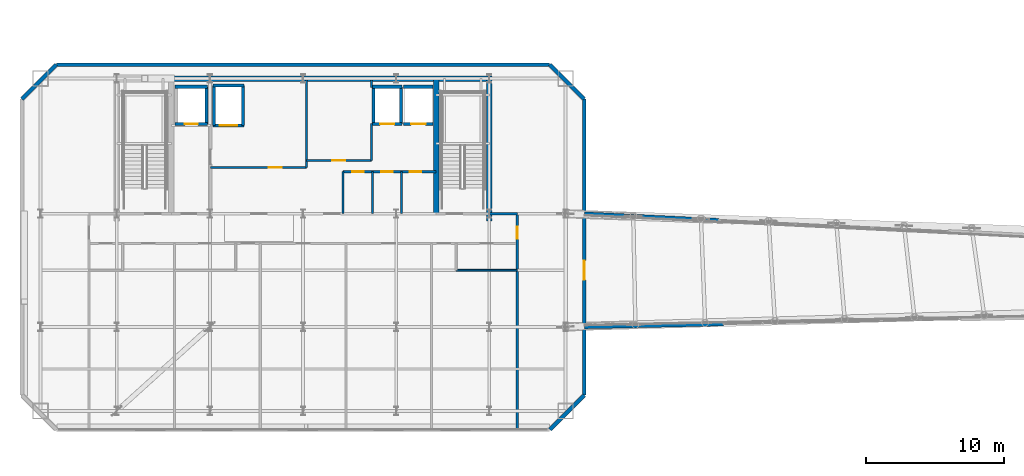
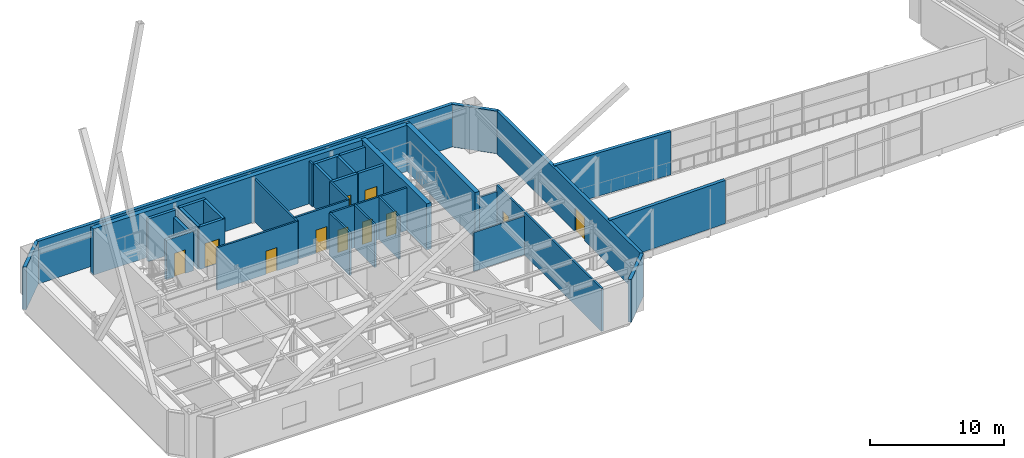
# One storey, part 16 of 23: 35 walls, 11 doors, 11 openings.
"""IFC4 building model written with IfcOpenShell, lengths in metres."""

from ifc_helpers import new_model, si_unit, direction, frame, frame_2d, origin, place, context, subcontext, project, spatial, rectangle, extrude, material, layer, layer_set, type_object, element, fill, save


model = new_model("IFC4")

# Units and contexts
model_context = context("Model", 3, precision=1e-05, world=origin(), true_north=direction((0.0, 1.0)))
body_context = subcontext(model_context, "Body", "Model", "MODEL_VIEW")
ifc_project = project(units=[si_unit("LENGTHUNIT", "METRE"), si_unit("AREAUNIT", "SQUARE_METRE"), si_unit("VOLUMEUNIT", "CUBIC_METRE"), si_unit("PLANEANGLEUNIT", "RADIAN"), si_unit("MASSUNIT", "GRAM", prefix="KILO")], contexts=[model_context])

# Site, building, storey
site_placement = place(None, origin())
site = spatial("IfcSite", under=ifc_project, at=site_placement, CompositionType="ELEMENT")
building_placement = place(site_placement, origin())
building = spatial("IfcBuilding", under=site, at=building_placement, Name="Haevon Station Towers", CompositionType="ELEMENT")
storey_placement = place(building_placement, frame((0.0, 0.0, 197.10009765625)))
storey = spatial("IfcBuildingStorey", under=building, at=storey_placement, Name="L54", CompositionType="ELEMENT", Elevation=197.10009765625)

# Walls
ifc_material_1 = material(Name="Concrete C60/75", Category="concrete")
ifc_layer_1 = layer(ifc_material_1, 0.39990234375)
ifc_layer_set_1 = layer_set([ifc_layer_1], Name="Concrete C60/75")
wall_type_1 = type_object("IfcWallType", Name="WL-CR400", PredefinedType="SHEAR", material=ifc_layer_set_1)
wall_1_placement = place(storey_placement, frame((23.800048828125, 48.0, 0.0), z_axis=(0.0, 0.0, 1.0), x_axis=(1.0, 0.0, 0.0)))
element("IfcWall", 1, at=wall_1_placement, inside=storey, type_object=wall_type_1, Name="WL-T1CR-L54-N", PredefinedType="SHEAR", context=body_context, shape_type="SweptSolid", body=[
    extrude(rectangle(XDim=27.39990234375, YDim=0.39990234375, at=frame_2d((13.699951171875, 0.0))), origin(), (0.0, 0.0, 1.0), 4.199951171875),
])
wall_2_placement = place(storey_placement, frame((51.0, 37.679931640625, 0.0), z_axis=(0.0, 0.0, 1.0), x_axis=(0.0, 1.0, 0.0)))
element("IfcWall", 2, at=wall_2_placement, inside=storey, type_object=wall_type_1, Name="WL-T1CR-L54-E", PredefinedType="SHEAR", context=body_context, shape_type="SweptSolid", body=[
    extrude(rectangle(XDim=10.320068359375, YDim=0.39990234375, at=frame_2d((5.16015625, 0.0))), origin(), (0.0, 0.0, 1.0), 4.199951171875),
])
wall_3_placement = place(storey_placement, frame((47.14990234375, 38.199951171875, 0.0), z_axis=(0.0, 0.0, 1.0), x_axis=(0.0, 1.0, 0.0)))
element("IfcWall", 3, at=wall_3_placement, inside=storey, type_object=wall_type_1, Name="WL-T1CR-L54-M2", PredefinedType="SHEAR", context=body_context, shape_type="SweptSolid", body=[
    extrude(rectangle(XDim=9.800048828125, YDim=0.39990234375, at=frame_2d((4.89990234375, 0.0))), origin(), (0.0, 0.0, 1.0), 4.199951171875),
])
ifc_material_2 = material(Name="Precast concrete C45/55", Category="concrete")
ifc_layer_2 = layer(ifc_material_2, 0.280029296875)
ifc_layer_set_2 = layer_set([ifc_layer_2], Name="Precast concrete C45/55")
wall_type_2 = type_object("IfcWallType", Name="WL-EXT-PIER280", PredefinedType="SOLIDWALL", material=ifc_layer_set_2)
wall_4_placement = place(storey_placement, frame((17.125, 46.5, 0.0), z_axis=(0.0, 0.0, 1.0), x_axis=(0.707106781187, 0.707106781187, 0.0)))
element("IfcWall", 4, at=wall_4_placement, inside=storey, type_object=wall_type_2, Name="WL-T1-L54-NWC", PredefinedType="SOLIDWALL", context=body_context, shape_type="SweptSolid", body=[
    extrude(rectangle(XDim=3.53564453125, YDim=0.280029296875, at=frame_2d((1.767822265625, 0.0))), origin(), (0.0, 0.0, 1.0), 3.8798828125),
])
wall_5_placement = place(storey_placement, frame((19.625, 49.0, 0.0), z_axis=(0.0, 0.0, 1.0), x_axis=(1.0, 0.0, 0.0)))
element("IfcWall", 5, at=wall_5_placement, inside=storey, type_object=wall_type_2, Name="WL-T1-L54-N", PredefinedType="SOLIDWALL", context=body_context, shape_type="SweptSolid", body=[
    extrude(rectangle(XDim=35.75, YDim=0.280029296875, at=frame_2d((17.875, 0.0))), origin(), (0.0, 0.0, 1.0), 3.8798828125),
])
wall_6_placement = place(storey_placement, frame((55.375, 49.0, 0.0), z_axis=(0.0, 0.0, 1.0), x_axis=(0.707106781187, -0.707106781187, 0.0)))
element("IfcWall", 6, at=wall_6_placement, inside=storey, type_object=wall_type_2, Name="WL-T1-L54-NEC", PredefinedType="SOLIDWALL", context=body_context, shape_type="SweptSolid", body=[
    extrude(rectangle(XDim=3.53564453125, YDim=0.280029296875, at=frame_2d((1.767822265625, 0.0))), origin(), (0.0, 0.0, 1.0), 3.8798828125),
])

# Wall, opening, door
wall_7_placement = place(storey_placement, frame((57.875, 46.5, 0.0), z_axis=(0.0, 0.0, 1.0), x_axis=(0.0, -1.0, 0.0)))
wall_7 = element("IfcWall", 7, at=wall_7_placement, inside=storey, type_object=wall_type_2, Name="WL-T1-L54-E", PredefinedType="SOLIDWALL", context=body_context, shape_type="SweptSolid", body=[
    extrude(rectangle(XDim=21.449951171875, YDim=0.280029296875, at=frame_2d((10.72509765625, 0.0))), origin(), (0.0, 0.0, 1.0), 3.8798828125),
])
opening_1_placement = place(wall_7_placement, frame((11.699951171875, 0.0, 0.0)))
opening_1 = element("IfcOpeningElement", 8, at=opening_1_placement, cuts=wall_7, Name="Opening DR-SKP-T1-L54", PredefinedType="OPENING", context=body_context, shape_type="SweptSolid", body=[
    extrude(rectangle(XDim=1.39990234375, YDim=2.14990234375, at=frame_2d((0.699951171875, 1.074951171875))), frame((0.0, 0.14990234375, 0.0), z_axis=(0.0, -1.0, 0.0), x_axis=(1.0, 0.0, 0.0)), (0.0, 0.0, 1.0), 0.300048828125),
])
ifc_material_3 = material(Name="Thermally broken anodised aluminium and laminated safety glass", Category="aluminium")
door_type_1 = type_object("IfcDoorType", Name="DR-SKP-1400", OperationType="NOTDEFINED", PredefinedType="DOOR", material=ifc_material_3)
door_1_placement = place(opening_1_placement, origin())
door_1 = element("IfcDoor", 9, at=door_1_placement, inside=storey, type_object=door_type_1, Name="Sky-Park Bridge Level L54 Tower 1 Fire Link Door", OperationType="SINGLE_SWING_RIGHT", OverallHeight=2.14990234375, OverallWidth=1.39990234375, PredefinedType="DOOR", context=body_context, shape_type="SweptSolid", body=[
    extrude(rectangle(XDim=1.39990234375, YDim=2.14990234375, at=frame_2d((0.699951171875, 1.074951171875))), frame((0.0, 0.02490234375, 0.0), z_axis=(0.0, -1.0, 0.0), x_axis=(1.0, 0.0, 0.0)), (0.0, 0.0, 1.0), 0.050048828125),
])
fill(opening_1, door_1)

# Walls
wall_8_placement = place(storey_placement, frame((57.875, 25.050048828125, 0.0), z_axis=(0.0, 0.0, 1.0), x_axis=(-0.707106781187, -0.707106781187, 0.0)))
element("IfcWall", 10, at=wall_8_placement, inside=storey, type_object=wall_type_2, Name="WL-T1-L54-SEC", PredefinedType="SOLIDWALL", context=body_context, shape_type="SweptSolid", body=[
    extrude(rectangle(XDim=3.53564453125, YDim=0.280029296875, at=frame_2d((1.767822265625, 0.0))), origin(), (0.0, 0.0, 1.0), 3.8798828125),
])
wall_9_placement = place(storey_placement, frame((57.8798828125, 30.0, 0.0), z_axis=(0.0, 0.0, 1.0), x_axis=(0.999792624161, 0.020364397222, 0.0)))
element("IfcWall", 11, at=wall_9_placement, inside=storey, type_object=wall_type_2, Name="WL-SKP-L54-SW", PredefinedType="SOLIDWALL", context=body_context, shape_type="SweptSolid", body=[
    extrude(rectangle(XDim=10.08251953125, YDim=0.280029296875, at=frame_2d((5.041259765625, 0.0))), origin(), (0.0, 0.0, 1.0), 3.929931640625),
])
wall_10_placement = place(storey_placement, frame((57.8798828125, 38.199951171875, 0.0), z_axis=(0.0, 0.0, 1.0), x_axis=(0.998807569318, -0.048820482102, 0.0)))
element("IfcWall", 12, at=wall_10_placement, inside=storey, type_object=wall_type_2, Name="WL-SKP-L54-NW", PredefinedType="SOLIDWALL", context=body_context, shape_type="SweptSolid", body=[
    extrude(rectangle(XDim=9.7666015625, YDim=0.280029296875, at=frame_2d((4.88330078125, 0.0))), origin(), (0.0, 0.0, 1.0), 3.929931640625),
])
ifc_material_4 = material(Name="Gypsum board on steel stud", Category="steel")
ifc_layer_3 = layer(ifc_material_4, 0.125)
ifc_layer_set_3 = layer_set([ifc_layer_3], Name="Gypsum board on steel stud")
wall_type_3 = type_object("IfcWallType", Name="WL-PRT125", PredefinedType="PARTITIONING", material=ifc_layer_set_3)
wall_11_placement = place(storey_placement, frame((48.594970703125, 34.10009765625, 0.0), z_axis=(0.0, 0.0, 1.0), x_axis=(1.0, 0.0, 0.0)))
element("IfcWall", 13, at=wall_11_placement, inside=storey, type_object=wall_type_3, Name="WL-T1PT-L54-13", PredefinedType="PARTITIONING", context=body_context, shape_type="SweptSolid", body=[
    extrude(rectangle(XDim=4.429931640625, YDim=0.125, at=frame_2d((2.21484375, 0.0))), origin(), (0.0, 0.0, 1.0), 3.52978515625),
])

# Wall, opening, door
ifc_layer_4 = layer(ifc_material_4, 0.159912109375)
ifc_layer_set_4 = layer_set([ifc_layer_4], Name="Gypsum board on steel stud")
wall_type_4 = type_object("IfcWallType", Name="WL-PRT160", PredefinedType="PARTITIONING", material=ifc_layer_set_4)
wall_12_placement = place(storey_placement, frame((30.800048828125, 41.550048828125, 0.0), z_axis=(0.0, 0.0, 1.0), x_axis=(1.0, 0.0, 0.0)))
wall_12 = element("IfcWall", 14, at=wall_12_placement, inside=storey, type_object=wall_type_4, Name="WL-T1CW-L54-01", PredefinedType="PARTITIONING", context=body_context, shape_type="SweptSolid", body=[
    extrude(rectangle(XDim=6.949951171875, YDim=0.159912109375, at=frame_2d((3.47509765625, 0.0))), origin(), (0.0, 0.0, 1.0), 3.8798828125),
])
opening_2_placement = place(wall_12_placement, frame((4.199951171875, 0.0, 0.0)))
opening_2 = element("IfcOpeningElement", 15, at=opening_2_placement, cuts=wall_12, Name="Opening DR-WL-T1CW-L54-01-1", PredefinedType="OPENING", context=body_context, shape_type="SweptSolid", body=[
    extrude(rectangle(XDim=0.949951171875, YDim=2.10009765625, at=frame_2d((0.47509765625, 1.050048828125))), frame((0.0, 0.08984375, 0.0), z_axis=(0.0, -1.0, 0.0), x_axis=(1.0, 0.0, 0.0)), (0.0, 0.0, 1.0), 0.179931640625),
])
ifc_material_5 = material(Name="Engineered oak timber", Category="wood")
door_type_2 = type_object("IfcDoorType", Name="DR-FD60-950", OperationType="NOTDEFINED", PredefinedType="DOOR", material=ifc_material_5)
door_2_placement = place(opening_2_placement, origin())
door_2 = element("IfcDoor", 16, at=door_2_placement, inside=storey, type_object=door_type_2, Name="L54 Tower 1 Core Room Door 1-1", OperationType="SINGLE_SWING_RIGHT", OverallHeight=2.10009765625, OverallWidth=0.949951171875, PredefinedType="DOOR", context=body_context, shape_type="SweptSolid", body=[
    extrude(rectangle(XDim=0.949951171875, YDim=2.10009765625, at=frame_2d((0.47509765625, 1.050048828125))), frame((0.0, 0.02490234375, 0.0), z_axis=(0.0, -1.0, 0.0), x_axis=(1.0, 0.0, 0.0)), (0.0, 0.0, 1.0), 0.050048828125),
])
fill(opening_2, door_2)

# Wall
wall_13_placement = place(storey_placement, frame((37.75, 41.550048828125, 0.0), z_axis=(0.0, 0.0, 1.0), x_axis=(0.0, 1.0, 0.0)))
element("IfcWall", 17, at=wall_13_placement, inside=storey, type_object=wall_type_4, Name="WL-T1CW-L54-02", PredefinedType="PARTITIONING", context=body_context, shape_type="SweptSolid", body=[
    extrude(rectangle(XDim=6.349853515625, YDim=0.159912109375, at=frame_2d((3.1748046875, 0.0))), origin(), (0.0, 0.0, 1.0), 3.8798828125),
])

# Wall, opening, door
wall_14_placement = place(storey_placement, frame((37.75, 42.050048828125, 0.0), z_axis=(0.0, 0.0, 1.0), x_axis=(1.0, 0.0, 0.0)))
wall_14 = element("IfcWall", 18, at=wall_14_placement, inside=storey, type_object=wall_type_4, Name="WL-T1CW-L54-03", PredefinedType="PARTITIONING", context=body_context, shape_type="SweptSolid", body=[
    extrude(rectangle(XDim=4.699951171875, YDim=0.159912109375, at=frame_2d((2.35009765625, 0.0))), origin(), (0.0, 0.0, 1.0), 3.8798828125),
])
opening_3_placement = place(wall_14_placement, frame((1.85009765625, 0.0, 0.0)))
opening_3 = element("IfcOpeningElement", 19, at=opening_3_placement, cuts=wall_14, Name="Opening DR-WL-T1CW-L54-03-1", PredefinedType="OPENING", context=body_context, shape_type="SweptSolid", body=[
    extrude(rectangle(XDim=0.949951171875, YDim=2.10009765625, at=frame_2d((0.47509765625, 1.050048828125))), frame((0.0, 0.08984375, 0.0), z_axis=(0.0, -1.0, 0.0), x_axis=(1.0, 0.0, 0.0)), (0.0, 0.0, 1.0), 0.179931640625),
])
door_3_placement = place(opening_3_placement, origin())
door_3 = element("IfcDoor", 20, at=door_3_placement, inside=storey, type_object=door_type_2, Name="L54 Tower 1 Core Room Door 3-1", OperationType="SINGLE_SWING_LEFT", OverallHeight=2.10009765625, OverallWidth=0.949951171875, PredefinedType="DOOR", context=body_context, shape_type="SweptSolid", body=[
    extrude(rectangle(XDim=0.949951171875, YDim=2.10009765625, at=frame_2d((0.47509765625, 1.050048828125))), frame((0.0, 0.02490234375, 0.0), z_axis=(0.0, -1.0, 0.0), x_axis=(1.0, 0.0, 0.0)), (0.0, 0.0, 1.0), 0.050048828125),
])
fill(opening_3, door_3)

# Walls
wall_15_placement = place(storey_placement, frame((42.449951171875, 42.050048828125, 0.0), z_axis=(0.0, 0.0, 1.0), x_axis=(0.0, 1.0, 0.0)))
element("IfcWall", 21, at=wall_15_placement, inside=storey, type_object=wall_type_4, Name="WL-T1CW-L54-04", PredefinedType="PARTITIONING", context=body_context, shape_type="SweptSolid", body=[
    extrude(rectangle(XDim=2.699951171875, YDim=0.159912109375, at=frame_2d((1.35009765625, 0.0))), origin(), (0.0, 0.0, 1.0), 3.8798828125),
])
wall_16_placement = place(storey_placement, frame((42.449951171875, 47.35009765625, 0.0), z_axis=(0.0, 0.0, 1.0), x_axis=(0.0, 1.0, 0.0)))
element("IfcWall", 22, at=wall_16_placement, inside=storey, type_object=wall_type_4, Name="WL-T1CW-L54-05", PredefinedType="PARTITIONING", context=body_context, shape_type="SweptSolid", body=[
    extrude(rectangle(XDim=0.5498046875, YDim=0.159912109375, at=frame_2d((0.27490234375, 0.0))), origin(), (0.0, 0.0, 1.0), 3.8798828125),
])
for number, where, z_axis, x_axis, name in (
    (23, (40.39990234375, 38.199951171875, 0.0), (0.0, 0.0, 1.0), (0.0, 1.0, 0.0), "WL-T1CW-L54-06"),
    (24, (42.530029296875, 38.199951171875, 0.0), (0.0, 0.0, 1.0), (0.0, 1.0, 0.0), "WL-T1CW-L54-07"),
    (25, (44.6298828125, 38.199951171875, 0.0), (0.0, 0.0, 1.0), (0.0, 1.0, 0.0), "WL-T1CW-L54-08"),
):
    element("IfcWall", number, at=place(storey_placement, frame(where, z_axis=z_axis, x_axis=x_axis)), inside=storey, type_object=wall_type_4, Name=name, PredefinedType="PARTITIONING", context=body_context, shape_type="SweptSolid", body=[
        extrude(rectangle(XDim=3.050048828125, YDim=0.159912109375, at=frame_2d((1.52490234375, 0.0))), origin(), (0.0, 0.0, 1.0), 3.8798828125),
    ])

# Wall, openings, doors
wall_17_placement = place(storey_placement, frame((40.39990234375, 41.25, 0.0), z_axis=(0.0, 0.0, 1.0), x_axis=(1.0, 0.0, 0.0)))
wall_17 = element("IfcWall", 26, at=wall_17_placement, inside=storey, type_object=wall_type_4, Name="WL-T1CW-L54-09", PredefinedType="PARTITIONING", context=body_context, shape_type="SweptSolid", body=[
    extrude(rectangle(XDim=6.75, YDim=0.159912109375, at=frame_2d((3.375, 0.0))), origin(), (0.0, 0.0, 1.0), 3.8798828125),
])
opening_4_placement = place(wall_17_placement, frame((0.659912109375, 0.0, 0.0)))
opening_4 = element("IfcOpeningElement", 27, at=opening_4_placement, cuts=wall_17, Name="Opening DR-WL-T1CW-L54-09-1", PredefinedType="OPENING", context=body_context, shape_type="SweptSolid", body=[
    extrude(rectangle(XDim=0.85009765625, YDim=2.050048828125, at=frame_2d((0.425048828125, 1.02490234375))), frame((0.0, 0.08984375, 0.0), z_axis=(0.0, -1.0, 0.0), x_axis=(1.0, 0.0, 0.0)), (0.0, 0.0, 1.0), 0.179931640625),
])
opening_5_placement = place(wall_17_placement, frame((2.7548828125, 0.0, 0.0)))
opening_5 = element("IfcOpeningElement", 28, at=opening_5_placement, cuts=wall_17, Name="Opening DR-WL-T1CW-L54-09-2", PredefinedType="OPENING", context=body_context, shape_type="SweptSolid", body=[
    extrude(rectangle(XDim=0.85009765625, YDim=2.050048828125, at=frame_2d((0.425048828125, 1.02490234375))), frame((0.0, 0.08984375, 0.0), z_axis=(0.0, -1.0, 0.0), x_axis=(1.0, 0.0, 0.0)), (0.0, 0.0, 1.0), 0.179931640625),
])
opening_6_placement = place(wall_17_placement, frame((4.830078125, 0.0, 0.0)))
opening_6 = element("IfcOpeningElement", 29, at=opening_6_placement, cuts=wall_17, Name="Opening DR-WL-T1CW-L54-09-3", PredefinedType="OPENING", context=body_context, shape_type="SweptSolid", body=[
    extrude(rectangle(XDim=0.85009765625, YDim=2.050048828125, at=frame_2d((0.425048828125, 1.02490234375))), frame((0.0, 0.08984375, 0.0), z_axis=(0.0, -1.0, 0.0), x_axis=(1.0, 0.0, 0.0)), (0.0, 0.0, 1.0), 0.179931640625),
])
door_type_3 = type_object("IfcDoorType", Name="DR-FD30-850", OperationType="NOTDEFINED", PredefinedType="DOOR", material=ifc_material_5)
door_4_placement = place(opening_4_placement, origin())
door_4 = element("IfcDoor", 30, at=door_4_placement, inside=storey, type_object=door_type_3, Name="L54 Tower 1 Core Room Door 9-1", OperationType="SINGLE_SWING_RIGHT", OverallHeight=2.050048828125, OverallWidth=0.85009765625, PredefinedType="DOOR", context=body_context, shape_type="SweptSolid", body=[
    extrude(rectangle(XDim=0.85009765625, YDim=2.050048828125, at=frame_2d((0.425048828125, 1.02490234375))), frame((0.0, 0.02490234375, 0.0), z_axis=(0.0, -1.0, 0.0), x_axis=(1.0, 0.0, 0.0)), (0.0, 0.0, 1.0), 0.050048828125),
])
fill(opening_4, door_4)
door_5_placement = place(opening_5_placement, origin())
door_5 = element("IfcDoor", 31, at=door_5_placement, inside=storey, type_object=door_type_3, Name="L54 Tower 1 Core Room Door 9-2", OperationType="SINGLE_SWING_LEFT", OverallHeight=2.050048828125, OverallWidth=0.85009765625, PredefinedType="DOOR", context=body_context, shape_type="SweptSolid", body=[
    extrude(rectangle(XDim=0.85009765625, YDim=2.050048828125, at=frame_2d((0.425048828125, 1.02490234375))), frame((0.0, 0.02490234375, 0.0), z_axis=(0.0, -1.0, 0.0), x_axis=(1.0, 0.0, 0.0)), (0.0, 0.0, 1.0), 0.050048828125),
])
fill(opening_5, door_5)
door_6_placement = place(opening_6_placement, origin())
door_6 = element("IfcDoor", 32, at=door_6_placement, inside=storey, type_object=door_type_3, Name="L54 Tower 1 Core Room Door 9-3", OperationType="SINGLE_SWING_RIGHT", OverallHeight=2.050048828125, OverallWidth=0.85009765625, PredefinedType="DOOR", context=body_context, shape_type="SweptSolid", body=[
    extrude(rectangle(XDim=0.85009765625, YDim=2.050048828125, at=frame_2d((0.425048828125, 1.02490234375))), frame((0.0, 0.02490234375, 0.0), z_axis=(0.0, -1.0, 0.0), x_axis=(1.0, 0.0, 0.0)), (0.0, 0.0, 1.0), 0.050048828125),
])
fill(opening_6, door_6)

# Wall
wall_18_placement = place(storey_placement, frame((51.0, 38.199951171875, 0.0), z_axis=(0.0, 0.0, 1.0), x_axis=(1.0, 0.0, 0.0)))
element("IfcWall", 33, at=wall_18_placement, inside=storey, type_object=wall_type_4, Name="WL-T1PT-L54-02", PredefinedType="PARTITIONING", context=body_context, shape_type="SweptSolid", body=[
    extrude(rectangle(XDim=2.02490234375, YDim=0.159912109375, at=frame_2d((1.012451171875, 0.0))), origin(), (0.0, 0.0, 1.0), 3.27978515625),
])

# Wall, opening, door
wall_19_placement = place(storey_placement, frame((53.02490234375, 22.550048828125, 0.0), z_axis=(0.0, 0.0, 1.0), x_axis=(0.0, 1.0, 0.0)))
wall_19 = element("IfcWall", 34, at=wall_19_placement, inside=storey, type_object=wall_type_4, Name="WL-T1PT-L54-04", PredefinedType="PARTITIONING", context=body_context, shape_type="SweptSolid", body=[
    extrude(rectangle(XDim=15.64990234375, YDim=0.159912109375, at=frame_2d((7.824951171875, 0.0))), origin(), (0.0, 0.0, 1.0), 3.8798828125),
])
opening_7_placement = place(wall_19_placement, frame((13.820068359375, 0.0, 0.0)))
opening_7 = element("IfcOpeningElement", 35, at=opening_7_placement, cuts=wall_19, Name="Opening DR-WL-T1PT-L54-04-01", PredefinedType="OPENING", context=body_context, shape_type="SweptSolid", body=[
    extrude(rectangle(XDim=0.89990234375, YDim=2.050048828125, at=frame_2d((0.449951171875, 1.02490234375))), frame((0.0, 0.08984375, 0.0), z_axis=(0.0, -1.0, 0.0), x_axis=(1.0, 0.0, 0.0)), (0.0, 0.0, 1.0), 0.179931640625),
])
door_type_4 = type_object("IfcDoorType", Name="DR-INT-900", OperationType="NOTDEFINED", PredefinedType="DOOR", material=ifc_material_5)
door_7_placement = place(opening_7_placement, origin())
door_7 = element("IfcDoor", 36, at=door_7_placement, inside=storey, type_object=door_type_4, Name="L54 Tower 1 Room Door 4-1", OperationType="SINGLE_SWING_RIGHT", OverallHeight=2.050048828125, OverallWidth=0.89990234375, PredefinedType="DOOR", context=body_context, shape_type="SweptSolid", body=[
    extrude(rectangle(XDim=0.89990234375, YDim=2.050048828125, at=frame_2d((0.449951171875, 1.02490234375))), frame((0.0, 0.02490234375, 0.0), z_axis=(0.0, -1.0, 0.0), x_axis=(1.0, 0.0, 0.0)), (0.0, 0.0, 1.0), 0.050048828125),
])
fill(opening_7, door_7)

ifc_material_6 = material(Name="Concrete C40/50", Category="concrete")
ifc_layer_5 = layer(ifc_material_6, 0.239990234375)
ifc_layer_set_5 = layer_set([ifc_layer_5], Name="Concrete C40/50")
wall_type_5 = type_object("IfcWallType", Name="WL-SHF240", PredefinedType="PARTITIONING", material=ifc_layer_set_5)
wall_20_placement = place(storey_placement, frame((28.219970703125, 44.699951171875, 0.0), z_axis=(0.0, 0.0, 1.0), x_axis=(1.0, 0.0, 0.0)))
wall_20 = element("IfcWall", 37, at=wall_20_placement, inside=storey, type_object=wall_type_5, Name="WL-SHF-FL1-L54", PredefinedType="PARTITIONING", context=body_context, shape_type="SweptSolid", body=[
    extrude(rectangle(XDim=2.360107421875, YDim=0.239990234375, at=frame_2d((1.18017578125, 0.0))), origin(), (0.0, 0.0, 1.0), 3.579833984375),
])
opening_8_placement = place(wall_20_placement, frame((0.705078125, 0.0, 0.0)))
opening_8 = element("IfcOpeningElement", 38, at=opening_8_placement, cuts=wall_20, Name="Opening LD-FL1-L54", PredefinedType="OPENING", context=body_context, shape_type="SweptSolid", body=[
    extrude(rectangle(XDim=0.949951171875, YDim=2.14990234375, at=frame_2d((0.47509765625, 1.074951171875))), frame((0.0, 0.1298828125, 0.0), z_axis=(0.0, -1.0, 0.0), x_axis=(1.0, 0.0, 0.0)), (0.0, 0.0, 1.0), 0.260009765625),
])
ifc_material_7 = material(Name="Stainless steel and rated core", Category="steel")
door_type_5 = type_object("IfcDoorType", Name="LD-FL950", OperationType="SLIDING_TO_LEFT", PredefinedType="DOOR", material=ifc_material_7)
door_8_placement = place(opening_8_placement, origin())
door_8 = element("IfcDoor", 39, at=door_8_placement, inside=storey, type_object=door_type_5, Name="L54 Lift FL1 Sliding Landing Door", OperationType="SLIDING_TO_LEFT", OverallHeight=2.14990234375, OverallWidth=0.949951171875, PredefinedType="DOOR", context=body_context, shape_type="SweptSolid", body=[
    extrude(rectangle(XDim=0.949951171875, YDim=2.14990234375, at=frame_2d((0.47509765625, 1.074951171875))), frame((0.0, 0.02490234375, 0.0), z_axis=(0.0, -1.0, 0.0), x_axis=(1.0, 0.0, 0.0)), (0.0, 0.0, 1.0), 0.050048828125),
])
fill(opening_8, door_8)

# Walls
wall_21_placement = place(storey_placement, frame((28.219970703125, 47.39990234375, 0.0), z_axis=(0.0, 0.0, 1.0), x_axis=(1.0, 0.0, 0.0)))
element("IfcWall", 40, at=wall_21_placement, inside=storey, type_object=wall_type_5, Name="WL-SHF-FL1-L54-N", PredefinedType="PARTITIONING", context=body_context, shape_type="SweptSolid", body=[
    extrude(rectangle(XDim=2.360107421875, YDim=0.239990234375, at=frame_2d((1.18017578125, 0.0))), origin(), (0.0, 0.0, 1.0), 3.8798828125),
])
wall_22_placement = place(storey_placement, frame((30.5, 44.699951171875, 0.0), z_axis=(0.0, 0.0, 1.0), x_axis=(0.0, 1.0, 0.0)))
element("IfcWall", 41, at=wall_22_placement, inside=storey, type_object=wall_type_5, Name="WL-SHF-FL1-L54-E", PredefinedType="PARTITIONING", context=body_context, shape_type="SweptSolid", body=[
    extrude(rectangle(XDim=2.699951171875, YDim=0.239990234375, at=frame_2d((1.35009765625, 0.0))), origin(), (0.0, 0.0, 1.0), 3.27978515625),
])

# Wall, opening, door
wall_23_placement = place(storey_placement, frame((30.969970703125, 44.60009765625, 0.0), z_axis=(0.0, 0.0, 1.0), x_axis=(1.0, 0.0, 0.0)))
wall_23 = element("IfcWall", 42, at=wall_23_placement, inside=storey, type_object=wall_type_5, Name="WL-SHF-SL1-L54", PredefinedType="PARTITIONING", context=body_context, shape_type="SweptSolid", body=[
    extrude(rectangle(XDim=2.260009765625, YDim=0.239990234375, at=frame_2d((1.1298828125, 0.0))), origin(), (0.0, 0.0, 1.0), 3.8798828125),
])
opening_9_placement = place(wall_23_placement, frame((0.5048828125, 0.0, 0.0)))
opening_9 = element("IfcOpeningElement", 43, at=opening_9_placement, cuts=wall_23, Name="Opening LD-SL1-L54", PredefinedType="OPENING", context=body_context, shape_type="SweptSolid", body=[
    extrude(rectangle(XDim=1.25, YDim=2.199951171875, at=frame_2d((0.625, 1.10009765625))), frame((0.0, 0.1298828125, 0.0), z_axis=(0.0, -1.0, 0.0), x_axis=(1.0, 0.0, 0.0)), (0.0, 0.0, 1.0), 0.260009765625),
])
door_type_6 = type_object("IfcDoorType", Name="LD-SL1250", OperationType="SLIDING_TO_LEFT", PredefinedType="DOOR", material=ifc_material_7)
door_9_placement = place(opening_9_placement, origin())
door_9 = element("IfcDoor", 44, at=door_9_placement, inside=storey, type_object=door_type_6, Name="L54 Lift SL1 Sliding Landing Door", OperationType="SLIDING_TO_LEFT", OverallHeight=2.199951171875, OverallWidth=1.25, PredefinedType="DOOR", context=body_context, shape_type="SweptSolid", body=[
    extrude(rectangle(XDim=1.25, YDim=2.199951171875, at=frame_2d((0.625, 1.10009765625))), frame((0.0, 0.02490234375, 0.0), z_axis=(0.0, -1.0, 0.0), x_axis=(1.0, 0.0, 0.0)), (0.0, 0.0, 1.0), 0.050048828125),
])
fill(opening_9, door_9)

# Walls
wall_24_placement = place(storey_placement, frame((30.969970703125, 47.5, 0.0), z_axis=(0.0, 0.0, 1.0), x_axis=(1.0, 0.0, 0.0)))
element("IfcWall", 45, at=wall_24_placement, inside=storey, type_object=wall_type_5, Name="WL-SHF-SL1-L54-N", PredefinedType="PARTITIONING", context=body_context, shape_type="SweptSolid", body=[
    extrude(rectangle(XDim=2.260009765625, YDim=0.239990234375, at=frame_2d((1.1298828125, 0.0))), origin(), (0.0, 0.0, 1.0), 3.8798828125),
])
for number, where, z_axis, x_axis, name in (
    (46, (31.050048828125, 44.60009765625, 0.0), (0.0, 0.0, 1.0), (0.0, 1.0, 0.0), "WL-SHF-SL1-L54-W"),
    (47, (33.14990234375, 44.60009765625, 0.0), (0.0, 0.0, 1.0), (0.0, 1.0, 0.0), "WL-SHF-SL1-L54-E"),
):
    element("IfcWall", number, at=place(storey_placement, frame(where, z_axis=z_axis, x_axis=x_axis)), inside=storey, type_object=wall_type_5, Name=name, PredefinedType="PARTITIONING", context=body_context, shape_type="SweptSolid", body=[
        extrude(rectangle(XDim=2.89990234375, YDim=0.239990234375, at=frame_2d((1.449951171875, 0.0))), origin(), (0.0, 0.0, 1.0), 3.8798828125),
    ])

# Wall, opening, door
wall_25_placement = place(storey_placement, frame((42.52001953125, 44.699951171875, 0.0), z_axis=(0.0, 0.0, 1.0), x_axis=(1.0, 0.0, 0.0)))
wall_25 = element("IfcWall", 48, at=wall_25_placement, inside=storey, type_object=wall_type_5, Name="WL-SHF-PL5-L54", PredefinedType="PARTITIONING", context=body_context, shape_type="SweptSolid", body=[
    extrude(rectangle(XDim=2.159912109375, YDim=0.239990234375, at=frame_2d((1.080078125, 0.0))), origin(), (0.0, 0.0, 1.0), 3.8798828125),
])
opening_10_placement = place(wall_25_placement, frame((0.554931640625, 0.0, 0.0)))
opening_10 = element("IfcOpeningElement", 49, at=opening_10_placement, cuts=wall_25, Name="Opening LD-PL5-L54", PredefinedType="OPENING", context=body_context, shape_type="SweptSolid", body=[
    extrude(rectangle(XDim=1.050048828125, YDim=2.14990234375, at=frame_2d((0.52490234375, 1.074951171875))), frame((0.0, 0.1298828125, 0.0), z_axis=(0.0, -1.0, 0.0), x_axis=(1.0, 0.0, 0.0)), (0.0, 0.0, 1.0), 0.260009765625),
])
door_type_7 = type_object("IfcDoorType", Name="LD-PL1050", OperationType="SLIDING_TO_LEFT", PredefinedType="DOOR", material=ifc_material_7)
door_10_placement = place(opening_10_placement, origin())
door_10 = element("IfcDoor", 50, at=door_10_placement, inside=storey, type_object=door_type_7, Name="L54 Lift PL5 Sliding Landing Door", OperationType="SLIDING_TO_LEFT", OverallHeight=2.14990234375, OverallWidth=1.050048828125, PredefinedType="DOOR", context=body_context, shape_type="SweptSolid", body=[
    extrude(rectangle(XDim=1.050048828125, YDim=2.14990234375, at=frame_2d((0.52490234375, 1.074951171875))), frame((0.0, 0.02490234375, 0.0), z_axis=(0.0, -1.0, 0.0), x_axis=(1.0, 0.0, 0.0)), (0.0, 0.0, 1.0), 0.050048828125),
])
fill(opening_10, door_10)

# Walls
wall_26_placement = place(storey_placement, frame((42.52001953125, 47.39990234375, 0.0), z_axis=(0.0, 0.0, 1.0), x_axis=(1.0, 0.0, 0.0)))
element("IfcWall", 51, at=wall_26_placement, inside=storey, type_object=wall_type_5, Name="WL-SHF-PL5-L54-N", PredefinedType="PARTITIONING", context=body_context, shape_type="SweptSolid", body=[
    extrude(rectangle(XDim=2.159912109375, YDim=0.239990234375, at=frame_2d((1.080078125, 0.0))), origin(), (0.0, 0.0, 1.0), 3.8798828125),
])
for number, where, z_axis, x_axis, name in (
    (52, (42.60009765625, 44.699951171875, 0.0), (0.0, 0.0, 1.0), (0.0, 1.0, 0.0), "WL-SHF-PL5-L54-W"),
    (53, (44.60009765625, 44.699951171875, 0.0), (0.0, 0.0, 1.0), (0.0, 1.0, 0.0), "WL-SHF-PL5-L54-E"),
):
    element("IfcWall", number, at=place(storey_placement, frame(where, z_axis=z_axis, x_axis=x_axis)), inside=storey, type_object=wall_type_5, Name=name, PredefinedType="PARTITIONING", context=body_context, shape_type="SweptSolid", body=[
        extrude(rectangle(XDim=2.699951171875, YDim=0.239990234375, at=frame_2d((1.35009765625, 0.0))), origin(), (0.0, 0.0, 1.0), 3.8798828125),
    ])

# Wall, opening, door
wall_27_placement = place(storey_placement, frame((44.77001953125, 44.699951171875, 0.0), z_axis=(0.0, 0.0, 1.0), x_axis=(1.0, 0.0, 0.0)))
wall_27 = element("IfcWall", 54, at=wall_27_placement, inside=storey, type_object=wall_type_5, Name="WL-SHF-PL6-L54", PredefinedType="PARTITIONING", context=body_context, shape_type="SweptSolid", body=[
    extrude(rectangle(XDim=2.159912109375, YDim=0.239990234375, at=frame_2d((1.080078125, 0.0))), origin(), (0.0, 0.0, 1.0), 3.8798828125),
])
opening_11_placement = place(wall_27_placement, frame((0.554931640625, 0.0, 0.0)))
opening_11 = element("IfcOpeningElement", 55, at=opening_11_placement, cuts=wall_27, Name="Opening LD-PL6-L54", PredefinedType="OPENING", context=body_context, shape_type="SweptSolid", body=[
    extrude(rectangle(XDim=1.050048828125, YDim=2.14990234375, at=frame_2d((0.52490234375, 1.074951171875))), frame((0.0, 0.1298828125, 0.0), z_axis=(0.0, -1.0, 0.0), x_axis=(1.0, 0.0, 0.0)), (0.0, 0.0, 1.0), 0.260009765625),
])
door_11_placement = place(opening_11_placement, origin())
door_11 = element("IfcDoor", 56, at=door_11_placement, inside=storey, type_object=door_type_7, Name="L54 Lift PL6 Sliding Landing Door", OperationType="SLIDING_TO_LEFT", OverallHeight=2.14990234375, OverallWidth=1.050048828125, PredefinedType="DOOR", context=body_context, shape_type="SweptSolid", body=[
    extrude(rectangle(XDim=1.050048828125, YDim=2.14990234375, at=frame_2d((0.52490234375, 1.074951171875))), frame((0.0, 0.02490234375, 0.0), z_axis=(0.0, -1.0, 0.0), x_axis=(1.0, 0.0, 0.0)), (0.0, 0.0, 1.0), 0.050048828125),
])
fill(opening_11, door_11)

# Wall
wall_28_placement = place(storey_placement, frame((44.77001953125, 47.39990234375, 0.0), z_axis=(0.0, 0.0, 1.0), x_axis=(1.0, 0.0, 0.0)))
element("IfcWall", 57, at=wall_28_placement, inside=storey, type_object=wall_type_5, Name="WL-SHF-PL6-L54-N", PredefinedType="PARTITIONING", context=body_context, shape_type="SweptSolid", body=[
    extrude(rectangle(XDim=2.159912109375, YDim=0.239990234375, at=frame_2d((1.080078125, 0.0))), origin(), (0.0, 0.0, 1.0), 3.8798828125),
])

save(model, "model.ifc")
